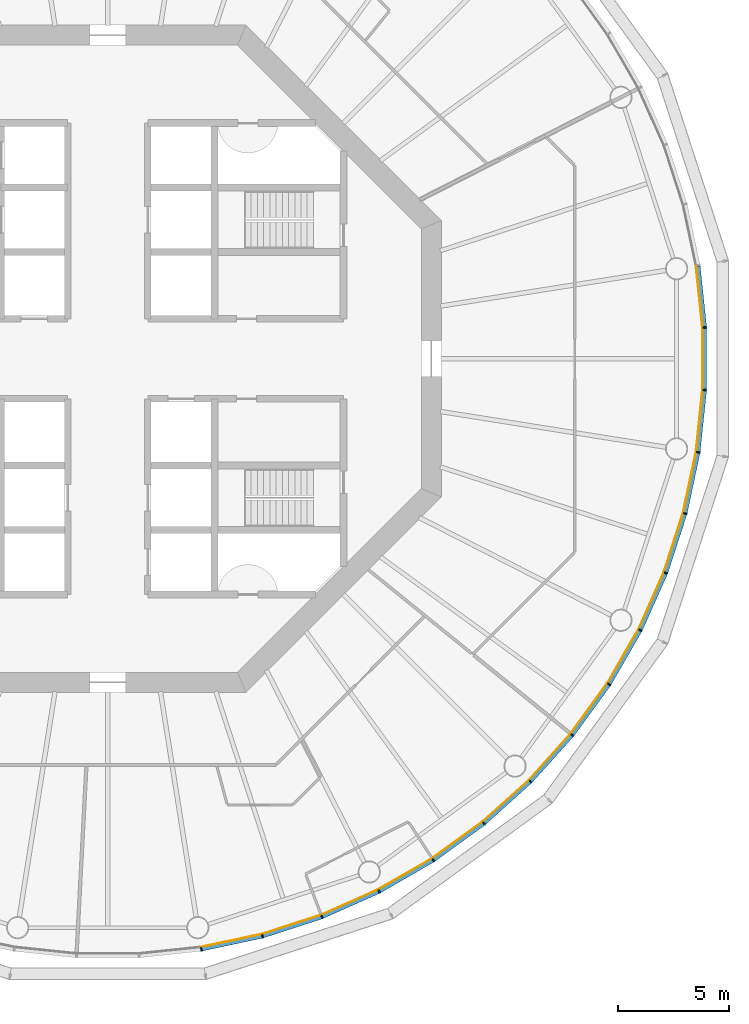
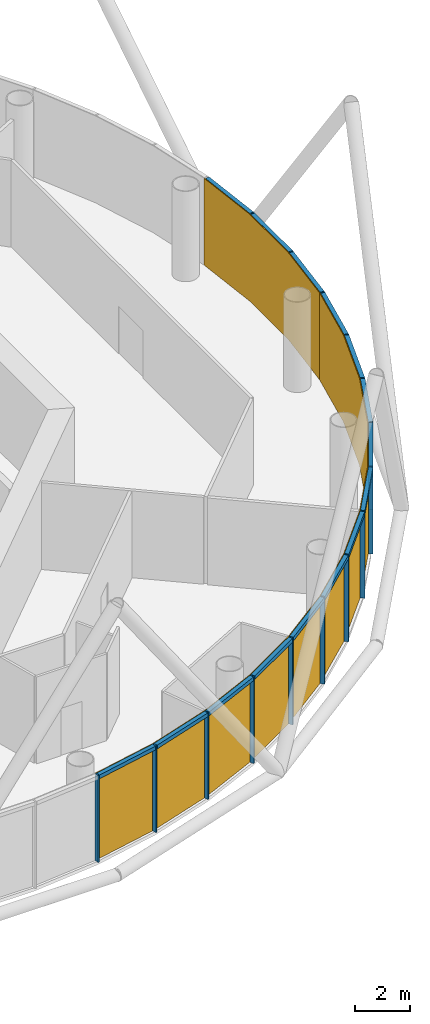
# One storey, part 9 of 13: 30 members, 5 curtain walls.
"""IFC4 building model written with IfcOpenShell, lengths in metres."""

from ifc_helpers import new_model, si_unit, direction, frame, origin, origin_2d, place, context, subcontext, project, spatial, polyline, rectangle, outline, extrude, material, layer, layer_set, material_profile, profile_set, type_object, element, aggregate, save


model = new_model("IFC4")

# Units and contexts
model_context = context("Model", 3, precision=1e-05, world=origin(), true_north=direction((0.0, 1.0)))
body_context = subcontext(model_context, "Body", "Model", "MODEL_VIEW")
ifc_project = project(units=[si_unit("LENGTHUNIT", "METRE"), si_unit("AREAUNIT", "SQUARE_METRE"), si_unit("VOLUMEUNIT", "CUBIC_METRE"), si_unit("PLANEANGLEUNIT", "RADIAN"), si_unit("MASSUNIT", "GRAM", prefix="KILO")], contexts=[model_context])

# Member
ifc_material_1 = material(Name="Anodised aluminium", Category="aluminium")
ifc_material_profile_1 = material_profile(ifc_material_1, rectangle(XDim=0.06005859375, YDim=0.169921875, at=origin_2d()), Name="Mullion 60 x 170 mm anodised aluminium")
ifc_profile_set_1 = profile_set([ifc_material_profile_1], Name="Anodised aluminium")
member_type_1 = type_object("IfcMemberType", Name="Mullion 60 x 170 mm anodised aluminium", PredefinedType="MULLION", material=ifc_profile_set_1)
site_placement = place(None, origin())
building_placement = place(site_placement, origin())
storey_placement = place(building_placement, frame((0.0, 0.0, 250.0)))
member_1_placement = place(storey_placement, frame((94.205810546875, 53.446044921875, 0.0), z_axis=(0.0, 0.0, 1.0), x_axis=(0.987688340595, 0.15643446504, 0.0)))
member_1 = element("IfcMember", 1, at=member_1_placement, type_object=member_type_1, Name="MULLION L57-45", PredefinedType="MULLION", context=body_context, shape_type="SweptSolid", body=[
    extrude(rectangle(XDim=0.06005859375, YDim=0.169921875, at=origin_2d()), origin(), (0.0, 0.0, 1.0), 3.85009765625),
])

member_2_placement = place(storey_placement, frame((96.958251953125, 54.031005859375, 0.0), z_axis=(0.0, 0.0, 1.0), x_axis=(0.965925826289, 0.258819045103, 0.0)))
member_2 = element("IfcMember", 2, at=member_2_placement, type_object=member_type_1, Name="MULLION L57-46", PredefinedType="MULLION", context=body_context, shape_type="SweptSolid", body=[
    extrude(rectangle(XDim=0.06005859375, YDim=0.169921875, at=origin_2d()), origin(), (0.0, 0.0, 1.0), 3.85009765625),
])

member_3_placement = place(storey_placement, frame((99.634765625, 54.900634765625, 0.0), z_axis=(0.0, 0.0, 1.0), x_axis=(0.933580426497, 0.358367949545, 0.0)))
member_3 = element("IfcMember", 3, at=member_3_placement, type_object=member_type_1, Name="MULLION L57-47", PredefinedType="MULLION", context=body_context, shape_type="SweptSolid", body=[
    extrude(rectangle(XDim=0.06005859375, YDim=0.169921875, at=origin_2d()), origin(), (0.0, 0.0, 1.0), 3.85009765625),
])

member_4_placement = place(storey_placement, frame((102.20556640625, 56.04541015625, 0.0), z_axis=(0.0, 0.0, 1.0), x_axis=(0.891006524188, 0.45399049974, 0.0)))
member_4 = element("IfcMember", 4, at=member_4_placement, type_object=member_type_1, Name="MULLION L57-48", PredefinedType="MULLION", context=body_context, shape_type="SweptSolid", body=[
    extrude(rectangle(XDim=0.06005859375, YDim=0.169921875, at=origin_2d()), origin(), (0.0, 0.0, 1.0), 3.85009765625),
])

member_5_placement = place(storey_placement, frame((104.642578125, 57.452392578125, 0.0), z_axis=(0.0, 0.0, 1.0), x_axis=(0.838670567945, 0.544639035015, 0.0)))
member_5 = element("IfcMember", 5, at=member_5_placement, type_object=member_type_1, Name="MULLION L57-49", PredefinedType="MULLION", context=body_context, shape_type="SweptSolid", body=[
    extrude(rectangle(XDim=0.06005859375, YDim=0.169921875, at=origin_2d()), origin(), (0.0, 0.0, 1.0), 3.85009765625),
])

member_6_placement = place(storey_placement, frame((106.919189453125, 59.1064453125, 0.0), z_axis=(0.0, 0.0, 1.0), x_axis=(0.777145961457, 0.62932039105, 0.0)))
member_6 = element("IfcMember", 6, at=member_6_placement, type_object=member_type_1, Name="MULLION L57-50", PredefinedType="MULLION", context=body_context, shape_type="SweptSolid", body=[
    extrude(rectangle(XDim=0.06005859375, YDim=0.169921875, at=origin_2d()), origin(), (0.0, 0.0, 1.0), 3.85009765625),
])

member_7_placement = place(storey_placement, frame((109.010498046875, 60.989501953125, 0.0), z_axis=(0.0, 0.0, 1.0), x_axis=(0.707106781187, 0.707106781187, 0.0)))
member_7 = element("IfcMember", 7, at=member_7_placement, type_object=member_type_1, Name="MULLION L57-51", PredefinedType="MULLION", context=body_context, shape_type="SweptSolid", body=[
    extrude(rectangle(XDim=0.06005859375, YDim=0.169921875, at=origin_2d()), origin(), (0.0, 0.0, 1.0), 3.85009765625),
])

member_8_placement = place(storey_placement, frame((110.8935546875, 63.080810546875, 0.0), z_axis=(0.0, 0.0, 1.0), x_axis=(0.62932039105, 0.777145961457, 0.0)))
member_8 = element("IfcMember", 8, at=member_8_placement, type_object=member_type_1, Name="MULLION L57-52", PredefinedType="MULLION", context=body_context, shape_type="SweptSolid", body=[
    extrude(rectangle(XDim=0.06005859375, YDim=0.169921875, at=origin_2d()), origin(), (0.0, 0.0, 1.0), 3.85009765625),
])

member_9_placement = place(storey_placement, frame((112.547607421875, 65.357421875, 0.0), z_axis=(0.0, 0.0, 1.0), x_axis=(0.544639035015, 0.838670567945, 0.0)))
member_9 = element("IfcMember", 9, at=member_9_placement, type_object=member_type_1, Name="MULLION L57-53", PredefinedType="MULLION", context=body_context, shape_type="SweptSolid", body=[
    extrude(rectangle(XDim=0.06005859375, YDim=0.169921875, at=origin_2d()), origin(), (0.0, 0.0, 1.0), 3.85009765625),
])

member_10_placement = place(storey_placement, frame((113.95458984375, 67.79443359375, 0.0), z_axis=(0.0, 0.0, 1.0), x_axis=(0.45399049974, 0.891006524188, 0.0)))
member_10 = element("IfcMember", 10, at=member_10_placement, type_object=member_type_1, Name="MULLION L57-54", PredefinedType="MULLION", context=body_context, shape_type="SweptSolid", body=[
    extrude(rectangle(XDim=0.06005859375, YDim=0.169921875, at=origin_2d()), origin(), (0.0, 0.0, 1.0), 3.85009765625),
])

member_11_placement = place(storey_placement, frame((115.099365234375, 70.365234375, 0.0), z_axis=(0.0, 0.0, 1.0), x_axis=(0.358367949545, 0.933580426497, 0.0)))
member_11 = element("IfcMember", 11, at=member_11_placement, type_object=member_type_1, Name="MULLION L57-55", PredefinedType="MULLION", context=body_context, shape_type="SweptSolid", body=[
    extrude(rectangle(XDim=0.06005859375, YDim=0.169921875, at=origin_2d()), origin(), (0.0, 0.0, 1.0), 3.85009765625),
])

member_12_placement = place(storey_placement, frame((115.968994140625, 73.041748046875, 0.0), z_axis=(0.0, 0.0, 1.0), x_axis=(0.258819045103, 0.965925826289, 0.0)))
member_12 = element("IfcMember", 12, at=member_12_placement, type_object=member_type_1, Name="MULLION L57-56", PredefinedType="MULLION", context=body_context, shape_type="SweptSolid", body=[
    extrude(rectangle(XDim=0.06005859375, YDim=0.169921875, at=origin_2d()), origin(), (0.0, 0.0, 1.0), 3.85009765625),
])

member_13_placement = place(storey_placement, frame((116.553955078125, 75.794189453125, 0.0), z_axis=(0.0, 0.0, 1.0), x_axis=(0.15643446504, 0.987688340595, 0.0)))
member_13 = element("IfcMember", 13, at=member_13_placement, type_object=member_type_1, Name="MULLION L57-57", PredefinedType="MULLION", context=body_context, shape_type="SweptSolid", body=[
    extrude(rectangle(XDim=0.06005859375, YDim=0.169921875, at=origin_2d()), origin(), (0.0, 0.0, 1.0), 3.85009765625),
])

member_14_placement = place(storey_placement, frame((116.84814453125, 78.593017578125, 0.0), z_axis=(0.0, 0.0, 1.0), x_axis=(0.052335956243, 0.998629534755, 0.0)))
member_14 = element("IfcMember", 14, at=member_14_placement, type_object=member_type_1, Name="MULLION L57-58", PredefinedType="MULLION", context=body_context, shape_type="SweptSolid", body=[
    extrude(rectangle(XDim=0.06005859375, YDim=0.169921875, at=origin_2d()), origin(), (0.0, 0.0, 1.0), 3.85009765625),
])

member_15_placement = place(storey_placement, frame((116.84814453125, 81.406982421875, 0.0), z_axis=(0.0, 0.0, 1.0), x_axis=(-0.052335956243, 0.998629534755, 0.0)))
member_15 = element("IfcMember", 15, at=member_15_placement, type_object=member_type_1, Name="MULLION L57-59", PredefinedType="MULLION", context=body_context, shape_type="SweptSolid", body=[
    extrude(rectangle(XDim=0.06005859375, YDim=0.169921875, at=origin_2d()), origin(), (0.0, 0.0, 1.0), 3.85009765625),
])

ifc_material_2 = material(Name="Anodised aluminium", Category="aluminium")
ifc_material_profile_2 = material_profile(ifc_material_2, rectangle(XDim=0.169921875, YDim=0.1650390625, at=origin_2d()), Name="Transom 165 x 170 mm anodised aluminium")
ifc_profile_set_2 = profile_set([ifc_material_profile_2], Name="Anodised aluminium")
member_type_2 = type_object("IfcMemberType", Name="Transom 165 x 170 mm anodised aluminium", PredefinedType="USERDEFINED", material=ifc_profile_set_2)
member_16_placement = place(storey_placement, frame((94.239501953125, 53.453125, 3.767578125), z_axis=(0.97814212115, 0.207937468562, 0.0), x_axis=(-0.207937468562, 0.97814212115, 0.0)))
member_16 = element("IfcMember", 16, at=member_16_placement, type_object=member_type_2, Name="TRANSOM L57-45", ObjectType="TRANSOM", PredefinedType="USERDEFINED", context=body_context, shape_type="SweptSolid", body=[
    extrude(rectangle(XDim=0.169921875, YDim=0.1650390625, at=origin_2d()), origin(), (0.0, 0.0, 1.0), 2.7451171875),
])

member_17_placement = place(storey_placement, frame((96.9912109375, 54.04150390625, 3.767578125), z_axis=(0.951048445774, 0.309041831781, 0.0), x_axis=(-0.309041831781, 0.951048445774, 0.0)))
member_17 = element("IfcMember", 17, at=member_17_placement, type_object=member_type_2, Name="TRANSOM L57-46", ObjectType="TRANSOM", PredefinedType="USERDEFINED", context=body_context, shape_type="SweptSolid", body=[
    extrude(rectangle(XDim=0.169921875, YDim=0.1650390625, at=origin_2d()), origin(), (0.0, 0.0, 1.0), 2.7451171875),
])

member_18_placement = place(storey_placement, frame((99.666259765625, 54.91455078125, 3.767578125), z_axis=(0.913525267704, 0.406781987391, 0.0), x_axis=(-0.406781987391, 0.913525267704, 0.0)))
member_18 = element("IfcMember", 18, at=member_18_placement, type_object=member_type_2, Name="TRANSOM L57-47", ObjectType="TRANSOM", PredefinedType="USERDEFINED", context=body_context, shape_type="SweptSolid", body=[
    extrude(rectangle(XDim=0.169921875, YDim=0.1650390625, at=origin_2d()), origin(), (0.0, 0.0, 1.0), 2.7451171875),
])

member_19_placement = place(storey_placement, frame((102.2353515625, 56.0625, 3.767578125), z_axis=(0.866034527326, 0.49998419723, 0.0), x_axis=(-0.49998419723, 0.866034527326, 0.0)))
member_19 = element("IfcMember", 19, at=member_19_placement, type_object=member_type_2, Name="TRANSOM L57-48", ObjectType="TRANSOM", PredefinedType="USERDEFINED", context=body_context, shape_type="SweptSolid", body=[
    extrude(rectangle(XDim=0.169921875, YDim=0.1650390625, at=origin_2d()), origin(), (0.0, 0.0, 1.0), 2.7451171875),
])

member_20_placement = place(storey_placement, frame((104.670654296875, 57.472412109375, 3.767578125), z_axis=(0.808959086484, 0.587864947412, 0.0), x_axis=(-0.587864947412, 0.808959086484, 0.0)))
member_20 = element("IfcMember", 20, at=member_20_placement, type_object=member_type_2, Name="TRANSOM L57-49", ObjectType="TRANSOM", PredefinedType="USERDEFINED", context=body_context, shape_type="SweptSolid", body=[
    extrude(rectangle(XDim=0.169921875, YDim=0.1650390625, at=origin_2d()), origin(), (0.0, 0.0, 1.0), 2.7451171875),
])

member_21_placement = place(storey_placement, frame((106.945068359375, 59.12939453125, 3.767578125), z_axis=(0.743134927907, 0.669141598561, 0.0), x_axis=(-0.669141598561, 0.743134927907, 0.0)))
member_21 = element("IfcMember", 21, at=member_21_placement, type_object=member_type_2, Name="TRANSOM L57-50", ObjectType="TRANSOM", PredefinedType="USERDEFINED", context=body_context, shape_type="SweptSolid", body=[
    extrude(rectangle(XDim=0.169921875, YDim=0.1650390625, at=origin_2d()), origin(), (0.0, 0.0, 1.0), 2.7451171875),
])

member_22_placement = place(storey_placement, frame((109.03369140625, 61.014892578125, 3.767578125), z_axis=(0.669141598561, 0.743134927907, 0.0), x_axis=(-0.743134927907, 0.669141598561, 0.0)))
member_22 = element("IfcMember", 22, at=member_22_placement, type_object=member_type_2, Name="TRANSOM L57-51", ObjectType="TRANSOM", PredefinedType="USERDEFINED", context=body_context, shape_type="SweptSolid", body=[
    extrude(rectangle(XDim=0.169921875, YDim=0.1650390625, at=origin_2d()), origin(), (0.0, 0.0, 1.0), 2.7451171875),
])

member_23_placement = place(storey_placement, frame((110.913818359375, 63.108642578125, 3.767578125), z_axis=(0.587864947412, 0.808959086484, 0.0), x_axis=(-0.808959086484, 0.587864947412, 0.0)))
member_23 = element("IfcMember", 23, at=member_23_placement, type_object=member_type_2, Name="TRANSOM L57-52", ObjectType="TRANSOM", PredefinedType="USERDEFINED", context=body_context, shape_type="SweptSolid", body=[
    extrude(rectangle(XDim=0.169921875, YDim=0.1650390625, at=origin_2d()), origin(), (0.0, 0.0, 1.0), 2.7451171875),
])

member_24_placement = place(storey_placement, frame((112.56494140625, 65.38720703125, 3.767578125), z_axis=(0.49998419723, 0.866034527326, 0.0), x_axis=(-0.866034527326, 0.49998419723, 0.0)))
member_24 = element("IfcMember", 24, at=member_24_placement, type_object=member_type_2, Name="TRANSOM L57-53", ObjectType="TRANSOM", PredefinedType="USERDEFINED", context=body_context, shape_type="SweptSolid", body=[
    extrude(rectangle(XDim=0.169921875, YDim=0.1650390625, at=origin_2d()), origin(), (0.0, 0.0, 1.0), 2.7451171875),
])

member_25_placement = place(storey_placement, frame((113.96875, 67.825927734375, 3.767578125), z_axis=(0.406781987391, 0.913525267704, 0.0), x_axis=(-0.913525267704, 0.406781987391, 0.0)))
member_25 = element("IfcMember", 25, at=member_25_placement, type_object=member_type_2, Name="TRANSOM L57-54", ObjectType="TRANSOM", PredefinedType="USERDEFINED", context=body_context, shape_type="SweptSolid", body=[
    extrude(rectangle(XDim=0.169921875, YDim=0.1650390625, at=origin_2d()), origin(), (0.0, 0.0, 1.0), 2.7451171875),
])

member_26_placement = place(storey_placement, frame((115.110107421875, 70.39794921875, 3.767578125), z_axis=(0.309041831781, 0.951048445774, 0.0), x_axis=(-0.951048445774, 0.309041831781, 0.0)))
member_26 = element("IfcMember", 26, at=member_26_placement, type_object=member_type_2, Name="TRANSOM L57-55", ObjectType="TRANSOM", PredefinedType="USERDEFINED", context=body_context, shape_type="SweptSolid", body=[
    extrude(rectangle(XDim=0.169921875, YDim=0.1650390625, at=origin_2d()), origin(), (0.0, 0.0, 1.0), 2.7451171875),
])

member_27_placement = place(storey_placement, frame((115.97607421875, 73.075439453125, 3.767578125), z_axis=(0.207937468562, 0.97814212115, 0.0), x_axis=(-0.97814212115, 0.207937468562, 0.0)))
member_27 = element("IfcMember", 27, at=member_27_placement, type_object=member_type_2, Name="TRANSOM L57-56", ObjectType="TRANSOM", PredefinedType="USERDEFINED", context=body_context, shape_type="SweptSolid", body=[
    extrude(rectangle(XDim=0.169921875, YDim=0.1650390625, at=origin_2d()), origin(), (0.0, 0.0, 1.0), 2.7451171875),
])

member_28_placement = place(storey_placement, frame((116.5576171875, 75.82861328125, 3.767578125), z_axis=(0.104592190102, 0.994515195344, 0.0), x_axis=(-0.994515195344, 0.104592190102, 0.0)))
member_28 = element("IfcMember", 28, at=member_28_placement, type_object=member_type_2, Name="TRANSOM L57-57", ObjectType="TRANSOM", PredefinedType="USERDEFINED", context=body_context, shape_type="SweptSolid", body=[
    extrude(rectangle(XDim=0.169921875, YDim=0.1650390625, at=origin_2d()), origin(), (0.0, 0.0, 1.0), 2.7451171875),
])

member_29_placement = place(storey_placement, frame((116.848388671875, 78.62744140625, 3.767578125), z_axis=(0.0, 1.0, 0.0), x_axis=(-1.0, 0.0, 0.0)))
member_29 = element("IfcMember", 29, at=member_29_placement, type_object=member_type_2, Name="TRANSOM L57-58", ObjectType="TRANSOM", PredefinedType="USERDEFINED", context=body_context, shape_type="SweptSolid", body=[
    extrude(rectangle(XDim=0.169921875, YDim=0.1650390625, at=origin_2d()), origin(), (0.0, 0.0, 1.0), 2.7451171875),
])

member_30_placement = place(storey_placement, frame((116.8447265625, 81.44140625, 3.767578125), z_axis=(-0.104592190102, 0.994515195344, 0.0), x_axis=(-0.994515195344, -0.104592190102, 0.0)))
member_30 = element("IfcMember", 30, at=member_30_placement, type_object=member_type_2, Name="TRANSOM L57-59", ObjectType="TRANSOM", PredefinedType="USERDEFINED", context=body_context, shape_type="SweptSolid", body=[
    extrude(rectangle(XDim=0.169921875, YDim=0.1650390625, at=origin_2d()), origin(), (0.0, 0.0, 1.0), 2.7451171875),
])

# Site, building, storey
site = spatial("IfcSite", under=ifc_project, at=site_placement, CompositionType="ELEMENT")
building = spatial("IfcBuilding", under=site, at=building_placement, Name="Entoto Ring Tower", CompositionType="ELEMENT")
storey = spatial("IfcBuildingStorey", under=building, at=storey_placement, Name="L57", CompositionType="ELEMENT", Elevation=250.0)

# Curtain wall
ifc_material_3 = material(Name="Clear low-iron glass", Category="glass")
ifc_layer = layer(ifc_material_3, 0.031982421875)
ifc_layer_set = layer_set([ifc_layer], Name="Clear low-iron glass")
curtain_wall_type = type_object("IfcCurtainWallType", Name="Curtain wall system CW4 glazing 32 mm", PredefinedType="NOTDEFINED", material=ifc_layer_set)
curtain_wall_1_placement = place(storey_placement, origin())
curtain_wall_1 = element("IfcCurtainWall", 31, at=curtain_wall_1_placement, inside=storey, type_object=curtain_wall_type, Name="CW4 L57-16", PredefinedType="NOTDEFINED", context=body_context, shape_type="SweptSolid", body=[
    extrude(outline(polyline([(94.1923828125, 53.530029296875), (96.936279296875, 54.11328125), (99.604248046875, 54.97998046875), (102.1669921875, 56.12109375), (102.15234375, 56.149658203125), (99.5927734375, 55.010009765625), (96.927978515625, 54.14404296875), (94.1875, 53.5615234375), (94.1923828125, 53.530029296875)])), origin(), (0.0, 0.0, 1.0), 3.85009765625),
])

aggregate(curtain_wall_1, [member_1, member_2, member_3, member_16, member_17, member_18])

curtain_wall_2_placement = place(storey_placement, origin())
curtain_wall_2 = element("IfcCurtainWall", 32, at=curtain_wall_2_placement, inside=storey, type_object=curtain_wall_type, Name="CW4 L57-17", PredefinedType="NOTDEFINED", context=body_context, shape_type="SweptSolid", body=[
    extrude(outline(polyline([(102.1669921875, 56.12109375), (104.596435546875, 57.523681640625), (106.86572265625, 59.172607421875), (108.950439453125, 61.049560546875), (108.927734375, 61.072265625), (106.845703125, 59.197509765625), (104.578857421875, 57.550537109375), (102.15234375, 56.149658203125), (102.1669921875, 56.12109375)])), origin(), (0.0, 0.0, 1.0), 3.85009765625),
])

aggregate(curtain_wall_2, [member_4, member_5, member_6, member_19, member_20, member_21])

curtain_wall_3_placement = place(storey_placement, origin())
curtain_wall_3 = element("IfcCurtainWall", 33, at=curtain_wall_3_placement, inside=storey, type_object=curtain_wall_type, Name="CW4 L57-18", PredefinedType="NOTDEFINED", context=body_context, shape_type="SweptSolid", body=[
    extrude(outline(polyline([(108.950439453125, 61.049560546875), (110.827392578125, 63.13427734375), (112.476318359375, 65.403564453125), (113.87890625, 67.8330078125), (113.850341796875, 67.84765625), (112.449462890625, 65.421142578125), (110.802490234375, 63.154296875), (108.927734375, 61.072265625), (108.950439453125, 61.049560546875)])), origin(), (0.0, 0.0, 1.0), 3.85009765625),
])

aggregate(curtain_wall_3, [member_7, member_8, member_9, member_22, member_23, member_24])

curtain_wall_4_placement = place(storey_placement, origin())
curtain_wall_4 = element("IfcCurtainWall", 34, at=curtain_wall_4_placement, inside=storey, type_object=curtain_wall_type, Name="CW4 L57-19", PredefinedType="NOTDEFINED", context=body_context, shape_type="SweptSolid", body=[
    extrude(outline(polyline([(113.87890625, 67.8330078125), (115.02001953125, 70.395751953125), (115.88671875, 73.063720703125), (116.469970703125, 75.8076171875), (116.4384765625, 75.8125), (115.85595703125, 73.072021484375), (114.989990234375, 70.4072265625), (113.850341796875, 67.84765625), (113.87890625, 67.8330078125)])), origin(), (0.0, 0.0, 1.0), 3.85009765625),
])

aggregate(curtain_wall_4, [member_10, member_11, member_12, member_25, member_26, member_27])

curtain_wall_5_placement = place(storey_placement, origin())
curtain_wall_5 = element("IfcCurtainWall", 35, at=curtain_wall_5_placement, inside=storey, type_object=curtain_wall_type, Name="CW4 L57-20", PredefinedType="NOTDEFINED", context=body_context, shape_type="SweptSolid", body=[
    extrude(outline(polyline([(116.469970703125, 75.8076171875), (116.76318359375, 78.597412109375), (116.76318359375, 81.402587890625), (116.469970703125, 84.1923828125), (116.4384765625, 84.1875), (116.731201171875, 81.40087890625), (116.731201171875, 78.59912109375), (116.4384765625, 75.8125), (116.469970703125, 75.8076171875)])), origin(), (0.0, 0.0, 1.0), 3.85009765625),
])

aggregate(curtain_wall_5, [member_13, member_14, member_15, member_28, member_29, member_30])

save(model, "model.ifc")
